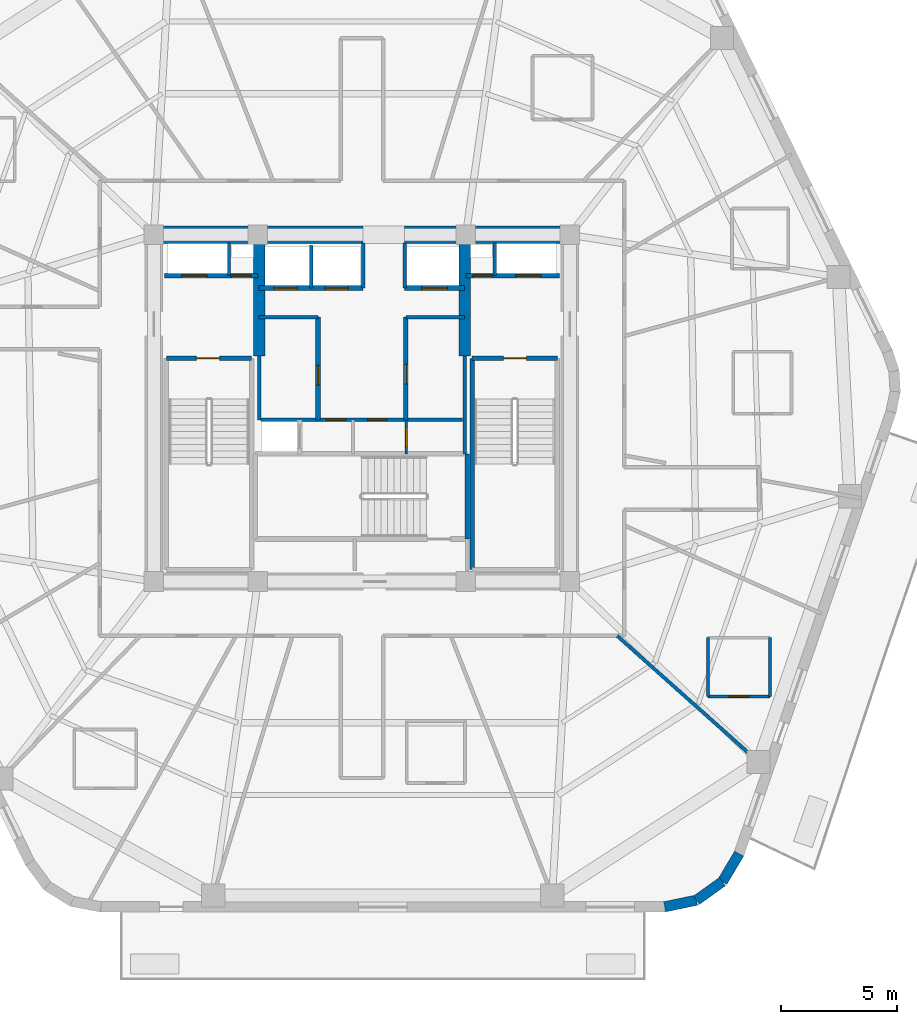
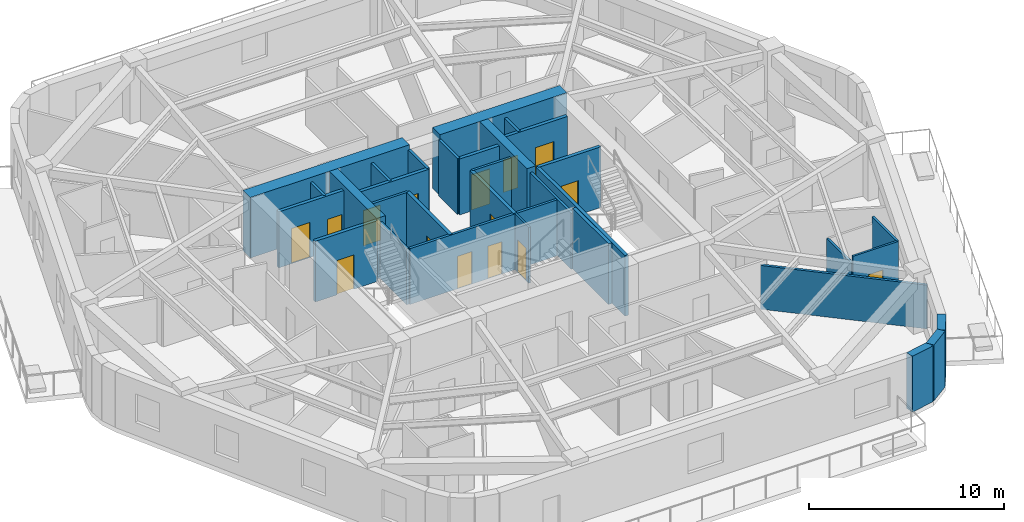
# One storey, part 4 of 9: 32 walls, 15 doors, 15 openings.
"""IFC4 building model written with IfcOpenShell, lengths in metres."""

from ifc_helpers import new_model, si_unit, direction, frame, frame_2d, origin, place, context, subcontext, project, spatial, rectangle, extrude, material, layer, layer_set, type_object, element, fill, save


model = new_model("IFC4")

# Units and contexts
model_context = context("Model", 3, precision=1e-05, world=origin(), true_north=direction((0.0, 1.0)))
body_context = subcontext(model_context, "Body", "Model", "MODEL_VIEW")
ifc_project = project(units=[si_unit("LENGTHUNIT", "METRE"), si_unit("AREAUNIT", "SQUARE_METRE"), si_unit("VOLUMEUNIT", "CUBIC_METRE"), si_unit("PLANEANGLEUNIT", "RADIAN"), si_unit("MASSUNIT", "GRAM", prefix="KILO")], contexts=[model_context])

# Site, building, storey
site_placement = place(None, origin())
site = spatial("IfcSite", under=ifc_project, at=site_placement, CompositionType="ELEMENT")
building_placement = place(site_placement, origin())
building = spatial("IfcBuilding", under=site, at=building_placement, Name="Kilnhurst Terrace Hotel", CompositionType="ELEMENT")
storey_placement = place(building_placement, frame((0.0, 0.0, 229.300048828125)))
storey = spatial("IfcBuildingStorey", under=building, at=storey_placement, Name="L57", CompositionType="ELEMENT", Elevation=229.300048828125)

# Walls
ifc_material_1 = material(Name="Precast concrete C40/50", Category="concrete")
ifc_layer_1 = layer(ifc_material_1, 0.449951171875, Name="Precast concrete C40/50")
ifc_layer_set_1 = layer_set([ifc_layer_1], Name="Precast concrete C40/50")
wall_type_1 = type_object("IfcWallType", Name="WL-BRK-450", PredefinedType="SOLIDWALL", material=ifc_layer_set_1)
wall_1_placement = place(storey_placement, frame((13.1015625, -21.574951171875, 0.0), z_axis=(0.0, 0.0, 1.0), x_axis=(0.978757421505, 0.205021730188, 0.0)))
element("IfcWall", 1, at=wall_1_placement, inside=storey, type_object=wall_type_1, Name="L57 Rounded Corner Brick Wall C2.1", PredefinedType="SOLIDWALL", context=body_context, shape_type="SweptSolid", body=[
    extrude(rectangle(XDim=1.40625, YDim=0.449951171875, at=frame_2d((0.703125, 0.0))), origin(), (0.0, 0.0, 1.0), 3.5),
])
wall_2_placement = place(storey_placement, frame((14.47802734375, -21.28662109375, 0.0), z_axis=(0.0, 0.0, 1.0), x_axis=(0.813888518617, 0.58102106611, 0.0)))
element("IfcWall", 2, at=wall_2_placement, inside=storey, type_object=wall_type_1, Name="L57 Rounded Corner Brick Wall C2.2", PredefinedType="SOLIDWALL", context=body_context, shape_type="SweptSolid", body=[
    extrude(rectangle(XDim=1.3828125, YDim=0.449951171875, at=frame_2d((0.69140625, 0.0))), origin(), (0.0, 0.0, 1.0), 3.5),
])
wall_3_placement = place(storey_placement, frame((15.603515625, -20.483154296875, 0.0), z_axis=(0.0, 0.0, 1.0), x_axis=(0.512222149036, 0.858852996756, 0.0)))
element("IfcWall", 3, at=wall_3_placement, inside=storey, type_object=wall_type_1, Name="L57 Rounded Corner Brick Wall C2.3", PredefinedType="SOLIDWALL", context=body_context, shape_type="SweptSolid", body=[
    extrude(rectangle(XDim=1.406494140625, YDim=0.449951171875, at=frame_2d((0.703125, 0.0))), origin(), (0.0, 0.0, 1.0), 3.5),
])
ifc_material_2 = material(Name="Concrete C60/75", Category="concrete")
ifc_layer_2 = layer(ifc_material_2, 0.75, Name="Concrete C60/75")
ifc_layer_set_2 = layer_set([ifc_layer_2], Name="Concrete C60/75")
wall_type_2 = type_object("IfcWallType", Name="WL-CORE-750", PredefinedType="SHEAR", material=ifc_layer_set_2)
wall_4_placement = place(storey_placement, frame((-9.375, 7.5, 0.0), z_axis=(0.0, 0.0, 1.0), x_axis=(1.0, 0.0, 0.0)))
element("IfcWall", 4, at=wall_4_placement, inside=storey, type_object=wall_type_2, Name="L57 Core North West Shear Wall", PredefinedType="SHEAR", context=body_context, shape_type="SweptSolid", body=[
    extrude(rectangle(XDim=9.425048828125, YDim=0.75, at=frame_2d((4.71240234375, 0.0))), origin(), (0.0, 0.0, 1.0), 3.800048828125),
])
wall_5_placement = place(storey_placement, frame((1.85009765625, 7.5, 0.0), z_axis=(0.0, 0.0, 1.0), x_axis=(1.0, 0.0, 0.0)))
element("IfcWall", 5, at=wall_5_placement, inside=storey, type_object=wall_type_2, Name="L57 Core North East Shear Wall", PredefinedType="SHEAR", context=body_context, shape_type="SweptSolid", body=[
    extrude(rectangle(XDim=7.52490234375, YDim=0.75, at=frame_2d((3.762451171875, 0.0))), origin(), (0.0, 0.0, 1.0), 3.800048828125),
])
ifc_layer_3 = layer(ifc_material_2, 0.5, Name="Concrete C60/75")
ifc_layer_set_3 = layer_set([ifc_layer_3], Name="Concrete C60/75")
wall_type_3 = type_object("IfcWallType", Name="WL-CORE-WEB-500", PredefinedType="SHEAR", material=ifc_layer_set_3)
for number, where, z_axis, x_axis, name in (
    (6, (-4.449951171875, 2.25, 0.0), (0.0, 0.0, 1.0), (0.0, 1.0, 0.0), "L57 Core Internal West Shear Web"),
    (7, (4.449951171875, 2.25, 0.0), (0.0, 0.0, 1.0), (0.0, 1.0, 0.0), "L57 Core Internal East Shear Web"),
):
    element("IfcWall", number, at=place(storey_placement, frame(where, z_axis=z_axis, x_axis=x_axis)), inside=storey, type_object=wall_type_3, Name=name, PredefinedType="SHEAR", context=body_context, shape_type="SweptSolid", body=[
        extrude(rectangle(XDim=4.875, YDim=0.5, at=frame_2d((2.4375, 0.0))), origin(), (0.0, 0.0, 1.0), 3.800048828125),
    ])
ifc_material_3 = material(Name="STC-58 Acoustic Twin-Frame Guestroom Demising Partition")
ifc_layer_4 = layer(ifc_material_3, 0.14990234375, Name="STC-58 Acoustic Twin-Frame Guestroom Demising Partition")
ifc_layer_set_4 = layer_set([ifc_layer_4], Name="STC-58 Acoustic Twin-Frame Guestroom Demising Partition")
wall_type_4 = type_object("IfcWallType", Name="WL-DEM-150", PredefinedType="PARTITIONING", material=ifc_layer_set_4)
wall_6_placement = place(storey_placement, frame((11.04833984375, -9.85009765625, 0.0), z_axis=(0.0, 0.0, 1.0), x_axis=(0.746444434655, -0.665447748492, 0.0)))
element("IfcWall", 8, at=wall_6_placement, inside=storey, type_object=wall_type_4, Name="L57 Interior Wall WL-L57-DEM-COL11-16-1", PredefinedType="PARTITIONING", context=body_context, shape_type="SweptSolid", body=[
    extrude(rectangle(XDim=8.732177734375, YDim=0.14990234375, at=frame_2d((4.3662109375, 0.0))), origin(), (0.0, 0.0, 1.0), 2.739990234375),
])

# Wall, opening, door
ifc_material_4 = material(Name="120 mm Moisture-Resistant Tile-Backed Bathroom Partition")
ifc_layer_5 = layer(ifc_material_4, 0.1201171875, Name="120 mm Moisture-Resistant Tile-Backed Bathroom Partition")
ifc_layer_set_5 = layer_set([ifc_layer_5], Name="120 mm Moisture-Resistant Tile-Backed Bathroom Partition")
wall_type_5 = type_object("IfcWallType", Name="WL-PART-120", PredefinedType="PARTITIONING", material=ifc_layer_set_5)
wall_7_placement = place(storey_placement, frame((1.919921875, -1.971923828125, 0.0), z_axis=(0.0, 0.0, 1.0), x_axis=(0.0, 1.0, 0.0)))
wall_7 = element("IfcWall", 9, at=wall_7_placement, inside=storey, type_object=wall_type_5, Name="L57 Interior Wall WL-L57-BOH-C2", PredefinedType="PARTITIONING", context=body_context, shape_type="SweptSolid", body=[
    extrude(rectangle(XDim=1.471923828125, YDim=0.1201171875, at=frame_2d((0.73583984375, 0.0))), origin(), (0.0, 0.0, 1.0), 3.5),
])
opening_1_placement = place(wall_7_placement, frame((0.300048828125, 0.0, 0.0)))
opening_1 = element("IfcOpeningElement", 10, at=opening_1_placement, cuts=wall_7, Name="Opening D-08A", PredefinedType="OPENING", context=body_context, shape_type="SweptSolid", body=[
    extrude(rectangle(XDim=0.85009765625, YDim=2.030029296875, at=frame_2d((0.425048828125, 1.01513671875))), frame((0.0, 0.070068359375, 0.0), z_axis=(0.0, -1.0, 0.0), x_axis=(1.0, 0.0, 0.0)), (0.0, 0.0, 1.0), 0.14013671875),
])
ifc_material_5 = material(Name="Moisture-Resistant Lacquered En-suite Bathroom Door")
door_type_1 = type_object("IfcDoorType", Name="DR-INT-850", OperationType="NOTDEFINED", PredefinedType="DOOR", material=ifc_material_5)
door_1_placement = place(opening_1_placement, origin())
door_1 = element("IfcDoor", 11, at=door_1_placement, inside=storey, type_object=door_type_1, Name="L57 Staff Restroom Door", OperationType="SINGLE_SWING_RIGHT", OverallHeight=2.030029296875, OverallWidth=0.85009765625, PredefinedType="DOOR", context=body_context, shape_type="SweptSolid", body=[
    extrude(rectangle(XDim=0.85009765625, YDim=2.030029296875, at=frame_2d((0.425048828125, 1.01513671875))), frame((0.0, 0.02490234375, 0.0), z_axis=(0.0, -1.0, 0.0), x_axis=(1.0, 0.0, 0.0)), (0.0, 0.0, 1.0), 0.050048828125),
])
fill(opening_1, door_1)

wall_8_placement = place(storey_placement, frame((14.97705078125, -12.468017578125, 0.0), z_axis=(0.0, 0.0, 1.0), x_axis=(1.0, 0.0, 0.0)))
wall_8 = element("IfcWall", 12, at=wall_8_placement, inside=storey, type_object=wall_type_5, Name="L57 Interior Wall WL-L57-BTH-16-1", PredefinedType="PARTITIONING", context=body_context, shape_type="SweptSolid", body=[
    extrude(rectangle(XDim=2.679931640625, YDim=0.1201171875, at=frame_2d((1.33984375, 0.0))), origin(), (0.0, 0.0, 1.0), 3.5),
])
opening_2_placement = place(wall_8_placement, frame((0.9150390625, 0.0, 0.0)))
opening_2 = element("IfcOpeningElement", 13, at=opening_2_placement, cuts=wall_8, Name="Opening D-08A", PredefinedType="OPENING", context=body_context, shape_type="SweptSolid", body=[
    extrude(rectangle(XDim=0.85009765625, YDim=2.030029296875, at=frame_2d((0.425048828125, 1.01513671875))), frame((0.0, 0.070068359375, 0.0), z_axis=(0.0, -1.0, 0.0), x_axis=(1.0, 0.0, 0.0)), (0.0, 0.0, 1.0), 0.14013671875),
])
door_2_placement = place(opening_2_placement, origin())
door_2 = element("IfcDoor", 14, at=door_2_placement, inside=storey, type_object=door_type_1, Name="L57 En-suite Bathroom Door 16", OperationType="SINGLE_SWING_LEFT", OverallHeight=2.030029296875, OverallWidth=0.85009765625, PredefinedType="DOOR", context=body_context, shape_type="SweptSolid", body=[
    extrude(rectangle(XDim=0.85009765625, YDim=2.030029296875, at=frame_2d((0.425048828125, 1.01513671875))), frame((0.0, 0.02490234375, 0.0), z_axis=(0.0, -1.0, 0.0), x_axis=(1.0, 0.0, 0.0)), (0.0, 0.0, 1.0), 0.050048828125),
])
fill(opening_2, door_2)

# Walls
wall_9_placement = place(storey_placement, frame((17.656982421875, -12.468017578125, 0.0), z_axis=(0.0, 0.0, 1.0), x_axis=(0.0, 1.0, 0.0)))
element("IfcWall", 15, at=wall_9_placement, inside=storey, type_object=wall_type_5, Name="L57 Interior Wall WL-L57-BTH-16-2", PredefinedType="PARTITIONING", context=body_context, shape_type="SweptSolid", body=[
    extrude(rectangle(XDim=2.5400390625, YDim=0.1201171875, at=frame_2d((1.27001953125, 0.0))), origin(), (0.0, 0.0, 1.0), 3.5),
])
wall_10_placement = place(storey_placement, frame((14.97705078125, -9.927978515625, 0.0), z_axis=(0.0, 0.0, 1.0), x_axis=(0.0, -1.0, 0.0)))
element("IfcWall", 16, at=wall_10_placement, inside=storey, type_object=wall_type_5, Name="L57 Interior Wall WL-L57-BTH-16-4", PredefinedType="PARTITIONING", context=body_context, shape_type="SweptSolid", body=[
    extrude(rectangle(XDim=2.5400390625, YDim=0.1201171875, at=frame_2d((1.27001953125, 0.0))), origin(), (0.0, 0.0, 1.0), 3.072265625),
])
ifc_material_6 = material(Name="Fire-Rated Gypsum Shaftliner Assembly")
ifc_layer_6 = layer(ifc_material_6, 0.14990234375, Name="Fire-Rated Gypsum Shaftliner Assembly")
ifc_layer_set_6 = layer_set([ifc_layer_6], Name="Fire-Rated Gypsum Shaftliner Assembly")
wall_type_6 = type_object("IfcWallType", Name="WL-SHAFT-150", PredefinedType="PARTITIONING", material=ifc_layer_set_6)
for number, where, z_axis, x_axis, name in (
    (17, (-5.75, 5.739990234375, 0.0), (0.0, 0.0, 1.0), (0.0, 1.0, 0.0), "L57 Interior Wall WL-L57-RIS1-DIV"),
    (18, (5.75, 5.739990234375, 0.0), (0.0, 0.0, 1.0), (0.0, 1.0, 0.0), "L57 Interior Wall WL-L57-RIS2-DIV"),
):
    element("IfcWall", number, at=place(storey_placement, frame(where, z_axis=z_axis, x_axis=x_axis)), inside=storey, type_object=wall_type_6, Name=name, PredefinedType="PARTITIONING", context=body_context, shape_type="SweptSolid", body=[
        extrude(rectangle(XDim=1.409912109375, YDim=0.14990234375, at=frame_2d((0.705078125, 0.0))), origin(), (0.0, 0.0, 1.0), 3.5),
    ])
wall_11_placement = place(storey_placement, frame((-2.199951171875, 5.199951171875, 0.0), z_axis=(0.0, 0.0, 1.0), x_axis=(0.0, 1.0, 0.0)))
element("IfcWall", 19, at=wall_11_placement, inside=storey, type_object=wall_type_6, Name="L57 Interior Wall WL-L57-HR-DIV1", PredefinedType="PARTITIONING", context=body_context, shape_type="SweptSolid", body=[
    extrude(rectangle(XDim=1.85009765625, YDim=0.14990234375, at=frame_2d((0.925048828125, 0.0))), origin(), (0.0, 0.0, 1.0), 3.5),
])
for number, where, z_axis, x_axis, name in (
    (20, (0.050048828125, 5.199951171875, 0.0), (0.0, 0.0, 1.0), (0.0, 1.0, 0.0), "L57 Interior Wall WL-L57-HR-PORTAL-W"),
    (21, (1.85009765625, 5.199951171875, 0.0), (0.0, 0.0, 1.0), (0.0, 1.0, 0.0), "L57 Interior Wall WL-L57-HR-PORTAL-E"),
):
    element("IfcWall", number, at=place(storey_placement, frame(where, z_axis=z_axis, x_axis=x_axis)), inside=storey, type_object=wall_type_6, Name=name, PredefinedType="PARTITIONING", context=body_context, shape_type="SweptSolid", body=[
        extrude(rectangle(XDim=1.949951171875, YDim=0.14990234375, at=frame_2d((0.97509765625, 0.0))), origin(), (0.0, 0.0, 1.0), 3.5),
    ])
wall_12_placement = place(storey_placement, frame((-4.449951171875, -0.5, 0.0), z_axis=(0.0, 0.0, 1.0), x_axis=(0.0, 1.0, 0.0)))
element("IfcWall", 22, at=wall_12_placement, inside=storey, type_object=wall_type_6, Name="L57 Interior Wall WL-L57-XLOB-W", PredefinedType="PARTITIONING", context=body_context, shape_type="SweptSolid", body=[
    extrude(rectangle(XDim=2.75, YDim=0.14990234375, at=frame_2d((1.375, 0.0))), origin(), (0.0, 0.0, 1.0), 3.5),
])
wall_13_placement = place(storey_placement, frame((4.449951171875, -1.971923828125, 0.0), z_axis=(0.0, 0.0, 1.0), x_axis=(0.0, 1.0, 0.0)))
element("IfcWall", 23, at=wall_13_placement, inside=storey, type_object=wall_type_6, Name="L57 Interior Wall WL-L57-XLOB-E", PredefinedType="PARTITIONING", context=body_context, shape_type="SweptSolid", body=[
    extrude(rectangle(XDim=4.221923828125, YDim=0.14990234375, at=frame_2d((2.11083984375, 0.0))), origin(), (0.0, 0.0, 1.0), 3.5),
])
for number, where, z_axis, x_axis, name in (
    (24, (-4.449951171875, 3.93994140625, 0.0), (0.0, 0.0, 1.0), (1.0, 0.0, 0.0), "L57 Interior Wall WL-L57-LR-NORTH"),
    (25, (1.89990234375, 3.93994140625, 0.0), (0.0, 0.0, 1.0), (1.0, 0.0, 0.0), "L57 Interior Wall WL-L57-MR-NORTH"),
):
    element("IfcWall", number, at=place(storey_placement, frame(where, z_axis=z_axis, x_axis=x_axis)), inside=storey, type_object=wall_type_6, Name=name, PredefinedType="PARTITIONING", context=body_context, shape_type="SweptSolid", body=[
        extrude(rectangle(XDim=2.550048828125, YDim=0.14990234375, at=frame_2d((1.27490234375, 0.0))), origin(), (0.0, 0.0, 1.0), 3.5),
    ])

# Wall, openings, doors
wall_14_placement = place(storey_placement, frame((-4.360107421875, -0.489990234375, 0.0), z_axis=(0.0, 0.0, 1.0), x_axis=(1.0, 0.0, 0.0)))
wall_14 = element("IfcWall", 26, at=wall_14_placement, inside=storey, type_object=wall_type_6, Name="L57 Interior Wall WL-L57-BOH-N", PredefinedType="PARTITIONING", context=body_context, shape_type="SweptSolid", body=[
    extrude(rectangle(XDim=8.72021484375, YDim=0.14990234375, at=frame_2d((4.360107421875, 0.0))), origin(), (0.0, 0.0, 1.0), 3.5),
])
opening_3_placement = place(wall_14_placement, frame((2.81005859375, 0.0, 0.0)))
opening_3 = element("IfcOpeningElement", 27, at=opening_3_placement, cuts=wall_14, Name="Opening D-60D", PredefinedType="OPENING", context=body_context, shape_type="SweptSolid", body=[
    extrude(rectangle(XDim=0.85009765625, YDim=2.030029296875, at=frame_2d((0.425048828125, 1.01513671875))), frame((0.0, 0.0849609375, 0.0), z_axis=(0.0, -1.0, 0.0), x_axis=(1.0, 0.0, 0.0)), (0.0, 0.0, 1.0), 0.169921875),
])
opening_4_placement = place(wall_14_placement, frame((4.610107421875, 0.0, 0.0)))
opening_4 = element("IfcOpeningElement", 28, at=opening_4_placement, cuts=wall_14, Name="Opening D-60D", PredefinedType="OPENING", context=body_context, shape_type="SweptSolid", body=[
    extrude(rectangle(XDim=0.85009765625, YDim=2.030029296875, at=frame_2d((0.425048828125, 1.01513671875))), frame((0.0, 0.0849609375, 0.0), z_axis=(0.0, -1.0, 0.0), x_axis=(1.0, 0.0, 0.0)), (0.0, 0.0, 1.0), 0.169921875),
])
ifc_material_7 = material(Name="Painted Hollow Metal Steel ASTM A36 Riser Door", Category="steel")
door_type_2 = type_object("IfcDoorType", Name="DR-FD60-850", OperationType="NOTDEFINED", PredefinedType="DOOR", material=ifc_material_7)
door_3_placement = place(opening_3_placement, origin())
door_3 = element("IfcDoor", 29, at=door_3_placement, inside=storey, type_object=door_type_2, Name="L57 Housekeeping Station Door", OperationType="SINGLE_SWING_LEFT", OverallHeight=2.030029296875, OverallWidth=0.85009765625, PredefinedType="DOOR", context=body_context, shape_type="SweptSolid", body=[
    extrude(rectangle(XDim=0.85009765625, YDim=2.030029296875, at=frame_2d((0.425048828125, 1.01513671875))), frame((0.0, 0.02490234375, 0.0), z_axis=(0.0, -1.0, 0.0), x_axis=(1.0, 0.0, 0.0)), (0.0, 0.0, 1.0), 0.050048828125),
])
fill(opening_3, door_3)
door_4_placement = place(opening_4_placement, origin())
door_4 = element("IfcDoor", 30, at=door_4_placement, inside=storey, type_object=door_type_2, Name="L57 Beverage Pantry Door", OperationType="SINGLE_SWING_RIGHT", OverallHeight=2.030029296875, OverallWidth=0.85009765625, PredefinedType="DOOR", context=body_context, shape_type="SweptSolid", body=[
    extrude(rectangle(XDim=0.85009765625, YDim=2.030029296875, at=frame_2d((0.425048828125, 1.01513671875))), frame((0.0, 0.02490234375, 0.0), z_axis=(0.0, -1.0, 0.0), x_axis=(1.0, 0.0, 0.0)), (0.0, 0.0, 1.0), 0.050048828125),
])
fill(opening_4, door_4)

ifc_material_8 = material(Name="Autoclaved Aerated Concrete C30/37 and Gypsum Shaft Assembly", Category="concrete")
ifc_layer_7 = layer(ifc_material_8, 0.199951171875, Name="Autoclaved Aerated Concrete C30/37 and Gypsum Shaft Assembly")
ifc_layer_set_7 = layer_set([ifc_layer_7], Name="Autoclaved Aerated Concrete C30/37 and Gypsum Shaft Assembly")
wall_type_7 = type_object("IfcWallType", Name="WL-SHAFT-200", PredefinedType="PARTITIONING", material=ifc_layer_set_7)
wall_15_placement = place(storey_placement, frame((-8.550048828125, 5.739990234375, 0.0), z_axis=(0.0, 0.0, 1.0), x_axis=(1.0, 0.0, 0.0)))
wall_15 = element("IfcWall", 31, at=wall_15_placement, inside=storey, type_object=wall_type_7, Name="L57 Interior Wall WL-L57-FSAE1-S", PredefinedType="PARTITIONING", context=body_context, shape_type="SweptSolid", body=[
    extrude(rectangle(XDim=4.050048828125, YDim=0.199951171875, at=frame_2d((2.02490234375, 0.0))), origin(), (0.0, 0.0, 1.0), 3.5),
])
opening_5_placement = place(wall_15_placement, frame((0.75, 0.0, 0.0)))
opening_5 = element("IfcOpeningElement", 32, at=opening_5_placement, cuts=wall_15, Name="Opening LD-F1", PredefinedType="OPENING", context=body_context, shape_type="SweptSolid", body=[
    extrude(rectangle(XDim=1.10009765625, YDim=2.199951171875, at=frame_2d((0.550048828125, 1.10009765625))), frame((0.0, 0.10986328125, 0.0), z_axis=(0.0, -1.0, 0.0), x_axis=(1.0, 0.0, 0.0)), (0.0, 0.0, 1.0), 0.219970703125),
])
opening_6_placement = place(wall_15_placement, frame((2.89990234375, 0.0, 0.0)))
opening_6 = element("IfcOpeningElement", 33, at=opening_6_placement, cuts=wall_15, Name="Opening D-60D", PredefinedType="OPENING", context=body_context, shape_type="SweptSolid", body=[
    extrude(rectangle(XDim=0.85009765625, YDim=2.030029296875, at=frame_2d((0.425048828125, 1.01513671875))), frame((0.0, 0.10986328125, 0.0), z_axis=(0.0, -1.0, 0.0), x_axis=(1.0, 0.0, 0.0)), (0.0, 0.0, 1.0), 0.219970703125),
])
door_5_placement = place(opening_6_placement, origin())
door_5 = element("IfcDoor", 34, at=door_5_placement, inside=storey, type_object=door_type_2, Name="L57 Electrical Riser Door", OperationType="SINGLE_SWING_LEFT", OverallHeight=2.030029296875, OverallWidth=0.85009765625, PredefinedType="DOOR", context=body_context, shape_type="SweptSolid", body=[
    extrude(rectangle(XDim=0.85009765625, YDim=2.030029296875, at=frame_2d((0.425048828125, 1.01513671875))), frame((0.0, 0.02490234375, 0.0), z_axis=(0.0, -1.0, 0.0), x_axis=(1.0, 0.0, 0.0)), (0.0, 0.0, 1.0), 0.050048828125),
])
fill(opening_6, door_5)
ifc_material_9 = material(Name="Bronze-Anodized Stainless Steel AISI 316L Sliding Door", Category="steel")
door_type_3 = type_object("IfcDoorType", Name="DR-LIFT-1100", OperationType="NOTDEFINED", PredefinedType="DOOR", material=ifc_material_9)
door_6_placement = place(opening_5_placement, origin())
door_6 = element("IfcDoor", 35, at=door_6_placement, inside=storey, type_object=door_type_3, Name="L57 FSAE-1 Landing Door", OperationType="SLIDING_TO_LEFT", OverallHeight=2.199951171875, OverallWidth=1.10009765625, PredefinedType="DOOR", context=body_context, shape_type="SweptSolid", body=[
    extrude(rectangle(XDim=1.10009765625, YDim=2.199951171875, at=frame_2d((0.550048828125, 1.10009765625))), frame((0.0, 0.02490234375, 0.0), z_axis=(0.0, -1.0, 0.0), x_axis=(1.0, 0.0, 0.0)), (0.0, 0.0, 1.0), 0.050048828125),
])
fill(opening_5, door_6)

wall_16_placement = place(storey_placement, frame((4.5, 5.739990234375, 0.0), z_axis=(0.0, 0.0, 1.0), x_axis=(1.0, 0.0, 0.0)))
wall_16 = element("IfcWall", 36, at=wall_16_placement, inside=storey, type_object=wall_type_7, Name="L57 Interior Wall WL-L57-FSAE2-S", PredefinedType="PARTITIONING", context=body_context, shape_type="SweptSolid", body=[
    extrude(rectangle(XDim=4.050048828125, YDim=0.199951171875, at=frame_2d((2.02490234375, 0.0))), origin(), (0.0, 0.0, 1.0), 3.5),
])
opening_7_placement = place(wall_16_placement, frame((0.300048828125, 0.0, 0.0)))
opening_7 = element("IfcOpeningElement", 37, at=opening_7_placement, cuts=wall_16, Name="Opening D-60D", PredefinedType="OPENING", context=body_context, shape_type="SweptSolid", body=[
    extrude(rectangle(XDim=0.85009765625, YDim=2.030029296875, at=frame_2d((0.425048828125, 1.01513671875))), frame((0.0, 0.10986328125, 0.0), z_axis=(0.0, -1.0, 0.0), x_axis=(1.0, 0.0, 0.0)), (0.0, 0.0, 1.0), 0.219970703125),
])
opening_8_placement = place(wall_16_placement, frame((2.14990234375, 0.0, 0.0)))
opening_8 = element("IfcOpeningElement", 38, at=opening_8_placement, cuts=wall_16, Name="Opening LD-F2", PredefinedType="OPENING", context=body_context, shape_type="SweptSolid", body=[
    extrude(rectangle(XDim=1.10009765625, YDim=2.199951171875, at=frame_2d((0.550048828125, 1.10009765625))), frame((0.0, 0.10986328125, 0.0), z_axis=(0.0, -1.0, 0.0), x_axis=(1.0, 0.0, 0.0)), (0.0, 0.0, 1.0), 0.219970703125),
])
door_7_placement = place(opening_7_placement, origin())
door_7 = element("IfcDoor", 39, at=door_7_placement, inside=storey, type_object=door_type_2, Name="L57 Telecom Riser Door", OperationType="SINGLE_SWING_RIGHT", OverallHeight=2.030029296875, OverallWidth=0.85009765625, PredefinedType="DOOR", context=body_context, shape_type="SweptSolid", body=[
    extrude(rectangle(XDim=0.85009765625, YDim=2.030029296875, at=frame_2d((0.425048828125, 1.01513671875))), frame((0.0, 0.02490234375, 0.0), z_axis=(0.0, -1.0, 0.0), x_axis=(1.0, 0.0, 0.0)), (0.0, 0.0, 1.0), 0.050048828125),
])
fill(opening_7, door_7)
door_8_placement = place(opening_8_placement, origin())
door_8 = element("IfcDoor", 40, at=door_8_placement, inside=storey, type_object=door_type_3, Name="L57 FSAE-2 Landing Door", OperationType="SLIDING_TO_RIGHT", OverallHeight=2.199951171875, OverallWidth=1.10009765625, PredefinedType="DOOR", context=body_context, shape_type="SweptSolid", body=[
    extrude(rectangle(XDim=1.10009765625, YDim=2.199951171875, at=frame_2d((0.550048828125, 1.10009765625))), frame((0.0, 0.02490234375, 0.0), z_axis=(0.0, -1.0, 0.0), x_axis=(1.0, 0.0, 0.0)), (0.0, 0.0, 1.0), 0.050048828125),
])
fill(opening_8, door_8)

wall_17_placement = place(storey_placement, frame((-4.449951171875, 5.199951171875, 0.0), z_axis=(0.0, 0.0, 1.0), x_axis=(1.0, 0.0, 0.0)))
wall_17 = element("IfcWall", 41, at=wall_17_placement, inside=storey, type_object=wall_type_7, Name="L57 Interior Wall WL-L57-HR-SW", PredefinedType="PARTITIONING", context=body_context, shape_type="SweptSolid", body=[
    extrude(rectangle(XDim=4.5, YDim=0.199951171875, at=frame_2d((2.25, 0.0))), origin(), (0.0, 0.0, 1.0), 3.5),
])
opening_9_placement = place(wall_17_placement, frame((0.64990234375, 0.0, 0.0)))
opening_9 = element("IfcOpeningElement", 42, at=opening_9_placement, cuts=wall_17, Name="Opening LD-HR", PredefinedType="OPENING", context=body_context, shape_type="SweptSolid", body=[
    extrude(rectangle(XDim=1.0, YDim=2.199951171875, at=frame_2d((0.5, 1.10009765625))), frame((0.0, 0.10986328125, 0.0), z_axis=(0.0, -1.0, 0.0), x_axis=(1.0, 0.0, 0.0)), (0.0, 0.0, 1.0), 0.219970703125),
])
opening_10_placement = place(wall_17_placement, frame((2.85009765625, 0.0, 0.0)))
opening_10 = element("IfcOpeningElement", 43, at=opening_10_placement, cuts=wall_17, Name="Opening LD-HS", PredefinedType="OPENING", context=body_context, shape_type="SweptSolid", body=[
    extrude(rectangle(XDim=1.0, YDim=2.199951171875, at=frame_2d((0.5, 1.10009765625))), frame((0.0, 0.10986328125, 0.0), z_axis=(0.0, -1.0, 0.0), x_axis=(1.0, 0.0, 0.0)), (0.0, 0.0, 1.0), 0.219970703125),
])
door_type_4 = type_object("IfcDoorType", Name="DR-LIFT-1000", OperationType="NOTDEFINED", PredefinedType="DOOR", material=ifc_material_9)
door_9_placement = place(opening_9_placement, origin())
door_9 = element("IfcDoor", 44, at=door_9_placement, inside=storey, type_object=door_type_4, Name="L57 High Rise Lift HR-1 Landing Door", OperationType="SLIDING_TO_LEFT", OverallHeight=2.199951171875, OverallWidth=1.0, PredefinedType="DOOR", context=body_context, shape_type="SweptSolid", body=[
    extrude(rectangle(XDim=1.0, YDim=2.199951171875, at=frame_2d((0.5, 1.10009765625))), frame((0.0, 0.02490234375, 0.0), z_axis=(0.0, -1.0, 0.0), x_axis=(1.0, 0.0, 0.0)), (0.0, 0.0, 1.0), 0.050048828125),
])
fill(opening_9, door_9)
door_10_placement = place(opening_10_placement, origin())
door_10 = element("IfcDoor", 45, at=door_10_placement, inside=storey, type_object=door_type_4, Name="L57 High Rise Lift HR-3 Landing Door", OperationType="SLIDING_TO_RIGHT", OverallHeight=2.199951171875, OverallWidth=1.0, PredefinedType="DOOR", context=body_context, shape_type="SweptSolid", body=[
    extrude(rectangle(XDim=1.0, YDim=2.199951171875, at=frame_2d((0.5, 1.10009765625))), frame((0.0, 0.02490234375, 0.0), z_axis=(0.0, -1.0, 0.0), x_axis=(1.0, 0.0, 0.0)), (0.0, 0.0, 1.0), 0.050048828125),
])
fill(opening_10, door_10)

# Wall, opening, door
wall_18_placement = place(storey_placement, frame((1.85009765625, 5.199951171875, 0.0), z_axis=(0.0, 0.0, 1.0), x_axis=(1.0, 0.0, 0.0)))
wall_18 = element("IfcWall", 46, at=wall_18_placement, inside=storey, type_object=wall_type_7, Name="L57 Interior Wall WL-L57-HR-SE", PredefinedType="PARTITIONING", context=body_context, shape_type="SweptSolid", body=[
    extrude(rectangle(XDim=2.599853515625, YDim=0.199951171875, at=frame_2d((1.2998046875, 0.0))), origin(), (0.0, 0.0, 1.0), 3.5),
])
opening_11_placement = place(wall_18_placement, frame((0.75, 0.0, 0.0)))
opening_11 = element("IfcOpeningElement", 47, at=opening_11_placement, cuts=wall_18, Name="Opening LD-H2", PredefinedType="OPENING", context=body_context, shape_type="SweptSolid", body=[
    extrude(rectangle(XDim=1.10009765625, YDim=2.199951171875, at=frame_2d((0.550048828125, 1.10009765625))), frame((0.0, 0.10986328125, 0.0), z_axis=(0.0, -1.0, 0.0), x_axis=(1.0, 0.0, 0.0)), (0.0, 0.0, 1.0), 0.219970703125),
])
door_11_placement = place(opening_11_placement, origin())
door_11 = element("IfcDoor", 48, at=door_11_placement, inside=storey, type_object=door_type_3, Name="L57 High Rise Lift HR-2 Landing Door", OperationType="SLIDING_TO_RIGHT", OverallHeight=2.199951171875, OverallWidth=1.10009765625, PredefinedType="DOOR", context=body_context, shape_type="SweptSolid", body=[
    extrude(rectangle(XDim=1.10009765625, YDim=2.199951171875, at=frame_2d((0.550048828125, 1.10009765625))), frame((0.0, 0.02490234375, 0.0), z_axis=(0.0, -1.0, 0.0), x_axis=(1.0, 0.0, 0.0)), (0.0, 0.0, 1.0), 0.050048828125),
])
fill(opening_11, door_11)

wall_19_placement = place(storey_placement, frame((-1.89990234375, -0.5, 0.0), z_axis=(0.0, 0.0, 1.0), x_axis=(0.0, 1.0, 0.0)))
wall_19 = element("IfcWall", 49, at=wall_19_placement, inside=storey, type_object=wall_type_7, Name="L57 Interior Wall WL-L57-LR-FRONT", PredefinedType="PARTITIONING", context=body_context, shape_type="SweptSolid", body=[
    extrude(rectangle(XDim=4.43994140625, YDim=0.199951171875, at=frame_2d((2.219970703125, 0.0))), origin(), (0.0, 0.0, 1.0), 3.5),
])
opening_12_placement = place(wall_19_placement, frame((1.5, 0.0, 0.0)))
opening_12 = element("IfcOpeningElement", 50, at=opening_12_placement, cuts=wall_19, Name="Opening D-60D", PredefinedType="OPENING", context=body_context, shape_type="SweptSolid", body=[
    extrude(rectangle(XDim=0.85009765625, YDim=2.030029296875, at=frame_2d((0.425048828125, 1.01513671875))), frame((0.0, 0.10986328125, 0.0), z_axis=(0.0, -1.0, 0.0), x_axis=(1.0, 0.0, 0.0)), (0.0, 0.0, 1.0), 0.219970703125),
])
door_12_placement = place(opening_12_placement, origin())
door_12 = element("IfcDoor", 51, at=door_12_placement, inside=storey, type_object=door_type_2, Name="L57 Reclaimed Linen Room Door", OperationType="SINGLE_SWING_LEFT", OverallHeight=2.030029296875, OverallWidth=0.85009765625, PredefinedType="DOOR", context=body_context, shape_type="SweptSolid", body=[
    extrude(rectangle(XDim=0.85009765625, YDim=2.030029296875, at=frame_2d((0.425048828125, 1.01513671875))), frame((0.0, 0.02490234375, 0.0), z_axis=(0.0, -1.0, 0.0), x_axis=(1.0, 0.0, 0.0)), (0.0, 0.0, 1.0), 0.050048828125),
])
fill(opening_12, door_12)

wall_20_placement = place(storey_placement, frame((1.89990234375, -0.5, 0.0), z_axis=(0.0, 0.0, 1.0), x_axis=(0.0, 1.0, 0.0)))
wall_20 = element("IfcWall", 52, at=wall_20_placement, inside=storey, type_object=wall_type_7, Name="L57 Interior Wall WL-L57-MR-FRONT", PredefinedType="PARTITIONING", context=body_context, shape_type="SweptSolid", body=[
    extrude(rectangle(XDim=4.43994140625, YDim=0.199951171875, at=frame_2d((2.219970703125, 0.0))), origin(), (0.0, 0.0, 1.0), 3.5),
])
opening_13_placement = place(wall_20_placement, frame((1.550048828125, 0.0, 0.0)))
opening_13 = element("IfcOpeningElement", 53, at=opening_13_placement, cuts=wall_20, Name="Opening D-60D", PredefinedType="OPENING", context=body_context, shape_type="SweptSolid", body=[
    extrude(rectangle(XDim=0.85009765625, YDim=2.030029296875, at=frame_2d((0.425048828125, 1.01513671875))), frame((0.0, 0.10986328125, 0.0), z_axis=(0.0, -1.0, 0.0), x_axis=(1.0, 0.0, 0.0)), (0.0, 0.0, 1.0), 0.219970703125),
])
door_13_placement = place(opening_13_placement, origin())
door_13 = element("IfcDoor", 54, at=door_13_placement, inside=storey, type_object=door_type_2, Name="L57 Staff Accessible Restroom Door", OperationType="SINGLE_SWING_RIGHT", OverallHeight=2.030029296875, OverallWidth=0.85009765625, PredefinedType="DOOR", context=body_context, shape_type="SweptSolid", body=[
    extrude(rectangle(XDim=0.85009765625, YDim=2.030029296875, at=frame_2d((0.425048828125, 1.01513671875))), frame((0.0, 0.02490234375, 0.0), z_axis=(0.0, -1.0, 0.0), x_axis=(1.0, 0.0, 0.0)), (0.0, 0.0, 1.0), 0.050048828125),
])
fill(opening_13, door_13)

ifc_material_10 = material(Name="Concrete C50/60", Category="concrete")
ifc_layer_8 = layer(ifc_material_10, 0.199951171875, Name="Concrete C50/60")
ifc_layer_set_8 = layer_set([ifc_layer_8], Name="Concrete C50/60")
wall_type_8 = type_object("IfcWallType", Name="WL-STAIR-RC-200", PredefinedType="SHEAR", material=ifc_layer_set_8)
wall_21_placement = place(storey_placement, frame((-8.4580078125, 2.157958984375, 0.0), z_axis=(0.0, 0.0, 1.0), x_axis=(1.0, 0.0, 0.0)))
wall_21 = element("IfcWall", 55, at=wall_21_placement, inside=storey, type_object=wall_type_8, Name="L57 Structural Stair Shaft Wall WL-L57-ST1-N", PredefinedType="SHEAR", context=body_context, shape_type="SweptSolid", body=[
    extrude(rectangle(XDim=3.68603515625, YDim=0.199951171875, at=frame_2d((1.843017578125, 0.0))), origin(), (0.0, 0.0, 1.0), 3.800048828125),
])
opening_14_placement = place(wall_21_placement, frame((1.300048828125, 0.0, 0.0)))
opening_14 = element("IfcOpeningElement", 56, at=opening_14_placement, cuts=wall_21, Name="Opening D-90B", PredefinedType="OPENING", context=body_context, shape_type="SweptSolid", body=[
    extrude(rectangle(XDim=1.0, YDim=2.14990234375, at=frame_2d((0.5, 1.074951171875))), frame((0.0, 0.10986328125, 0.0), z_axis=(0.0, -1.0, 0.0), x_axis=(1.0, 0.0, 0.0)), (0.0, 0.0, 1.0), 0.219970703125),
])
ifc_material_11 = material(Name="Painted Hollow Metal Steel ASTM A36 Fire Door", Category="steel")
door_type_5 = type_object("IfcDoorType", Name="DR-FD90-1000", OperationType="NOTDEFINED", PredefinedType="DOOR", material=ifc_material_11)
door_14_placement = place(opening_14_placement, origin())
door_14 = element("IfcDoor", 57, at=door_14_placement, inside=storey, type_object=door_type_5, Name="L57 Stair ST-1 Door", OperationType="SINGLE_SWING_LEFT", OverallHeight=2.14990234375, OverallWidth=1.0, PredefinedType="DOOR", context=body_context, shape_type="SweptSolid", body=[
    extrude(rectangle(XDim=1.0, YDim=2.14990234375, at=frame_2d((0.5, 1.074951171875))), frame((0.0, 0.02490234375, 0.0), z_axis=(0.0, -1.0, 0.0), x_axis=(1.0, 0.0, 0.0)), (0.0, 0.0, 1.0), 0.050048828125),
])
fill(opening_14, door_14)

# Wall
wall_22_placement = place(storey_placement, frame((4.77197265625, -6.985107421875, 0.0), z_axis=(0.0, 0.0, 1.0), x_axis=(0.0, 1.0, 0.0)))
element("IfcWall", 58, at=wall_22_placement, inside=storey, type_object=wall_type_8, Name="L57 Structural Stair Shaft Wall WL-L57-ST2-W", PredefinedType="SHEAR", context=body_context, shape_type="SweptSolid", body=[
    extrude(rectangle(XDim=9.14306640625, YDim=0.199951171875, at=frame_2d((4.571533203125, 0.0))), origin(), (0.0, 0.0, 1.0), 3.800048828125),
])

# Wall, opening, door
wall_23_placement = place(storey_placement, frame((4.77197265625, 2.157958984375, 0.0), z_axis=(0.0, 0.0, 1.0), x_axis=(1.0, 0.0, 0.0)))
wall_23 = element("IfcWall", 59, at=wall_23_placement, inside=storey, type_object=wall_type_8, Name="L57 Structural Stair Shaft Wall WL-L57-ST2-N", PredefinedType="SHEAR", context=body_context, shape_type="SweptSolid", body=[
    extrude(rectangle(XDim=3.68603515625, YDim=0.199951171875, at=frame_2d((1.843017578125, 0.0))), origin(), (0.0, 0.0, 1.0), 3.800048828125),
])
opening_15_placement = place(wall_23_placement, frame((1.35009765625, 0.0, 0.0)))
opening_15 = element("IfcOpeningElement", 60, at=opening_15_placement, cuts=wall_23, Name="Opening D-90B", PredefinedType="OPENING", context=body_context, shape_type="SweptSolid", body=[
    extrude(rectangle(XDim=1.0, YDim=2.14990234375, at=frame_2d((0.5, 1.074951171875))), frame((0.0, 0.10986328125, 0.0), z_axis=(0.0, -1.0, 0.0), x_axis=(1.0, 0.0, 0.0)), (0.0, 0.0, 1.0), 0.219970703125),
])
door_15_placement = place(opening_15_placement, origin())
door_15 = element("IfcDoor", 61, at=door_15_placement, inside=storey, type_object=door_type_5, Name="L57 Stair ST-2 Door", OperationType="SINGLE_SWING_RIGHT", OverallHeight=2.14990234375, OverallWidth=1.0, PredefinedType="DOOR", context=body_context, shape_type="SweptSolid", body=[
    extrude(rectangle(XDim=1.0, YDim=2.14990234375, at=frame_2d((0.5, 1.074951171875))), frame((0.0, 0.02490234375, 0.0), z_axis=(0.0, -1.0, 0.0), x_axis=(1.0, 0.0, 0.0)), (0.0, 0.0, 1.0), 0.050048828125),
])
fill(opening_15, door_15)

# Wall
wall_24_placement = place(storey_placement, frame((4.55810546875, -5.657958984375, 0.0), z_axis=(0.0, 0.0, 1.0), x_axis=(0.0, 1.0, 0.0)))
element("IfcWall", 62, at=wall_24_placement, inside=storey, type_object=wall_type_8, Name="L57 Structural Stair Shaft Wall WL-L57-ST3-E", PredefinedType="SHEAR", context=body_context, shape_type="SweptSolid", body=[
    extrude(rectangle(XDim=3.68603515625, YDim=0.199951171875, at=frame_2d((1.843017578125, 0.0))), origin(), (0.0, 0.0, 1.0), 3.800048828125),
])

save(model, "model.ifc")
